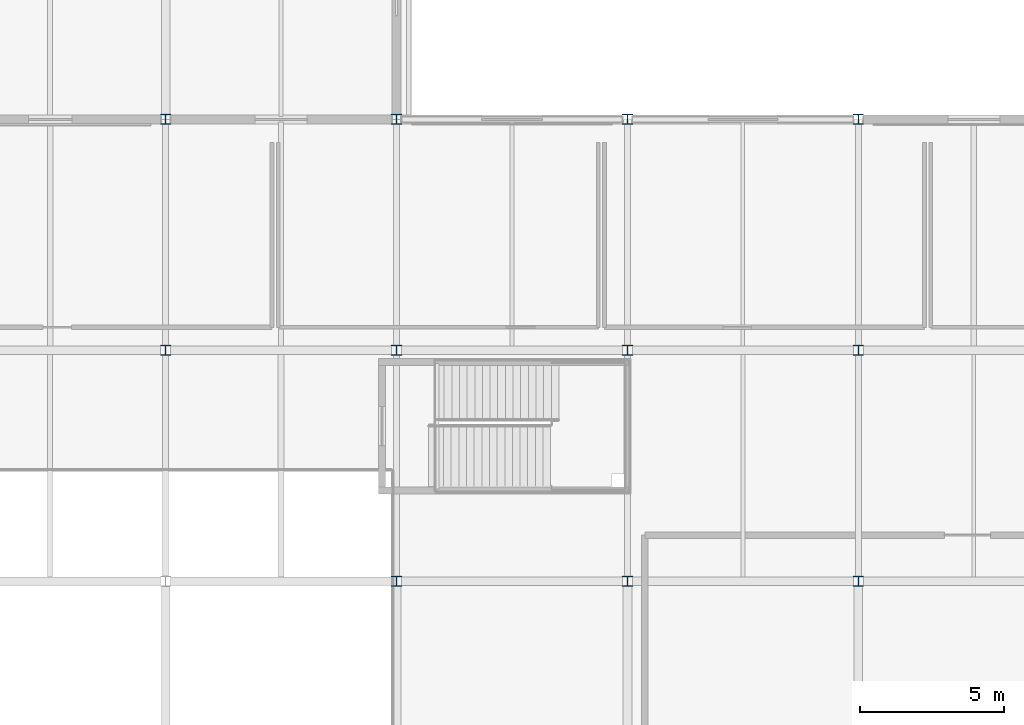
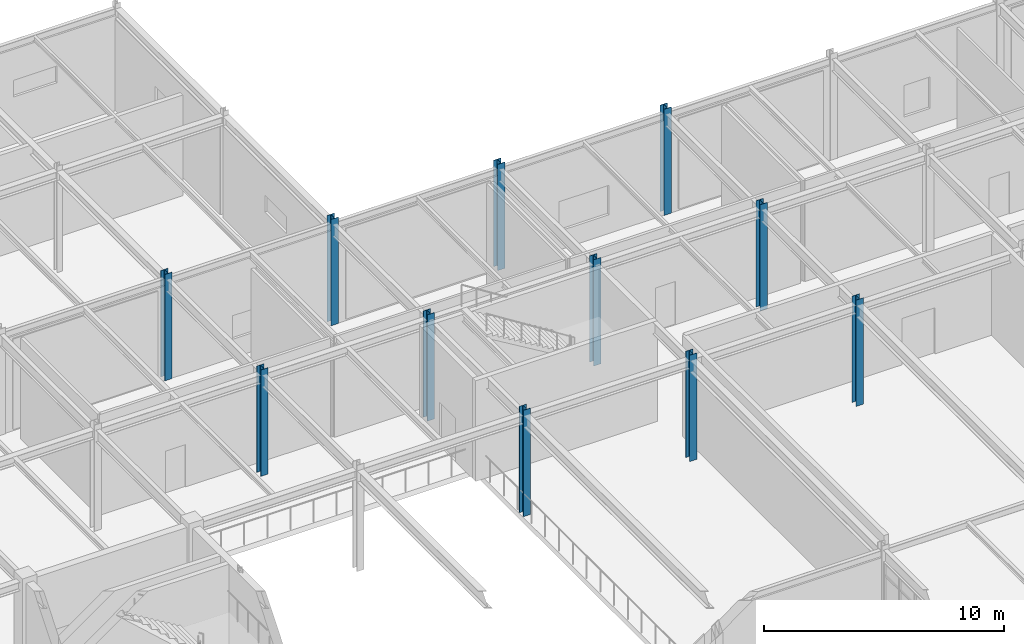
# One storey, part 17 of 184: 11 columns.
"""IFC4 building model written with IfcOpenShell, lengths in metres."""

from ifc_helpers import new_model, si_unit, direction, frame, origin, origin_2d, place, context, subcontext, project, spatial, i_section, extrude, material, material_profile, profile_set, type_object, element, save


model = new_model("IFC4")

# Units and contexts
model_context = context("Model", 3, precision=1e-05, world=origin(), true_north=direction((0.0, 1.0)))
body_context = subcontext(model_context, "Body", "Model", "MODEL_VIEW")
ifc_project = project(units=[si_unit("LENGTHUNIT", "METRE"), si_unit("AREAUNIT", "SQUARE_METRE"), si_unit("VOLUMEUNIT", "CUBIC_METRE"), si_unit("PLANEANGLEUNIT", "RADIAN"), si_unit("MASSUNIT", "GRAM", prefix="KILO")], contexts=[model_context])

# Site, building, storey
site_placement = place(None, origin())
site = spatial("IfcSite", under=ifc_project, at=site_placement, CompositionType="ELEMENT")
building_placement = place(site_placement, origin())
building = spatial("IfcBuilding", under=site, at=building_placement, Name="Zhaolan Boulevard Law Courts", CompositionType="ELEMENT")
storey_placement = place(building_placement, frame((0.0, 0.0, 5.39990234375)))
storey = spatial("IfcBuildingStorey", under=building, at=storey_placement, Name="L01", CompositionType="ELEMENT", Elevation=5.39990234375)

# Columns
ifc_material = material(Name="Structural steel Q355B", Category="steel")
ifc_material_profile = material_profile(ifc_material, i_section(OverallWidth=0.35009765625, OverallDepth=0.35009765625, WebThickness=0.011962890625, FlangeThickness=0.01904296875, FilletRadius=0.02001953125, at=origin_2d()), Name="HW350x350")
ifc_profile_set = profile_set([ifc_material_profile], Name="Structural steel Q355B")
column_type = type_object("IfcColumnType", Name="COL HW350", PredefinedType="COLUMN", material=ifc_profile_set)
for number, where, z_axis, x_axis, name in (
    (1, (100.0, 86.0, 0.0), (0.0, 0.0, 1.0), (1.0, 0.0, 0.0), "Column C-13M (L01)"),
    (2, (100.0, 94.0, 0.0), (0.0, 0.0, 1.0), (1.0, 0.0, 0.0), "Column C-13N (L01)"),
    (3, (108.0, 78.0, 0.0), (0.0, 0.0, 1.0), (1.0, 0.0, 0.0), "Column C-14L (L01)"),
    (4, (108.0, 86.0, 0.0), (0.0, 0.0, 1.0), (1.0, 0.0, 0.0), "Column C-14M (L01)"),
    (5, (108.0, 94.0, 0.0), (0.0, 0.0, 1.0), (1.0, 0.0, 0.0), "Column C-14N (L01)"),
    (6, (116.0, 78.0, 0.0), (0.0, 0.0, 1.0), (1.0, 0.0, 0.0), "Column C-15L (L01)"),
    (7, (116.0, 86.0, 0.0), (0.0, 0.0, 1.0), (1.0, 0.0, 0.0), "Column C-15M (L01)"),
    (8, (116.0, 94.0, 0.0), (0.0, 0.0, 1.0), (1.0, 0.0, 0.0), "Column C-15N (L01)"),
    (9, (124.0, 78.0, 0.0), (0.0, 0.0, 1.0), (1.0, 0.0, 0.0), "Column C-16L (L01)"),
    (10, (124.0, 86.0, 0.0), (0.0, 0.0, 1.0), (1.0, 0.0, 0.0), "Column C-16M (L01)"),
    (11, (124.0, 94.0, 0.0), (0.0, 0.0, 1.0), (1.0, 0.0, 0.0), "Column C-16N (L01)"),
):
    element("IfcColumn", number, at=place(storey_placement, frame(where, z_axis=z_axis, x_axis=x_axis)), inside=storey, type_object=column_type, Name=name, PredefinedType="COLUMN", context=body_context, shape_type="SweptSolid", body=[
        extrude(i_section(OverallWidth=0.35009765625, OverallDepth=0.35009765625, WebThickness=0.011962890625, FlangeThickness=0.01904296875, FilletRadius=0.02001953125, at=origin_2d()), origin(), (0.0, 0.0, 1.0), 5.400146484375),
    ])

save(model, "model.ifc")
